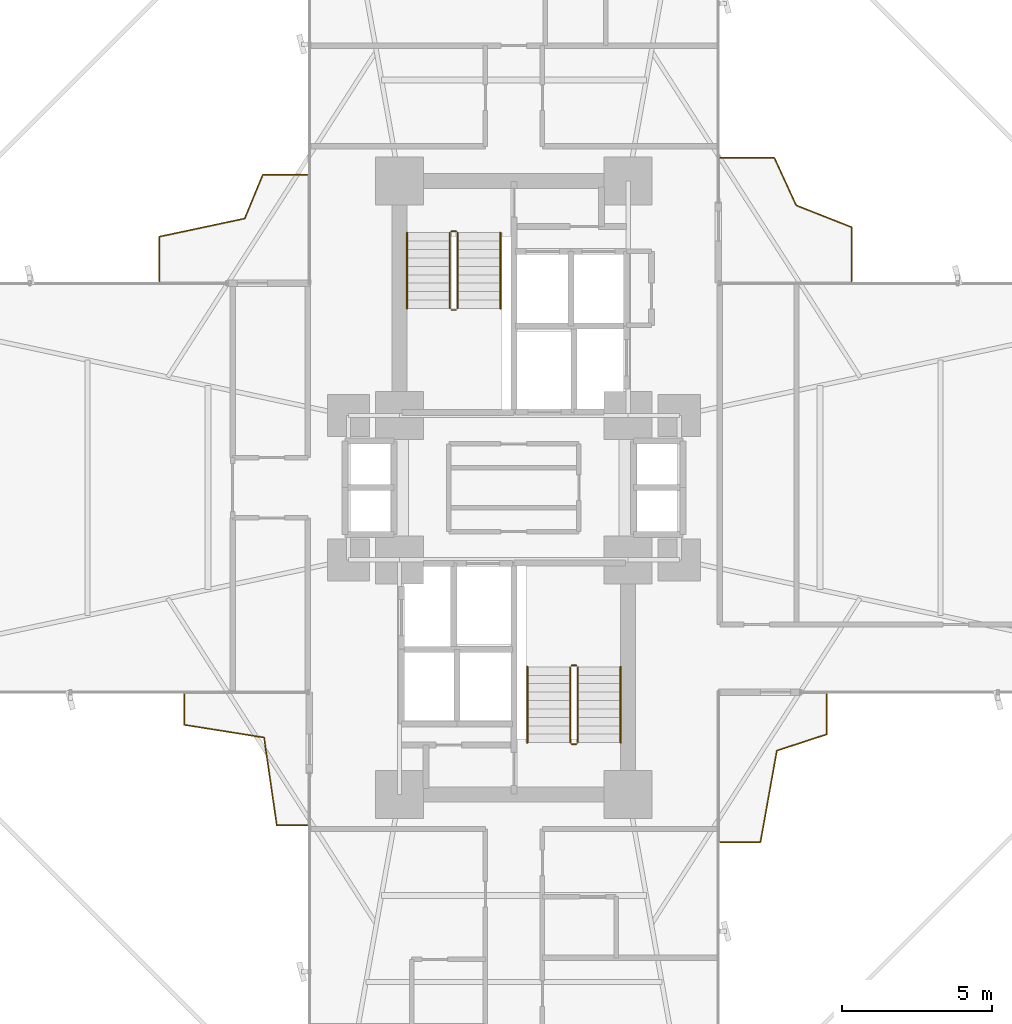
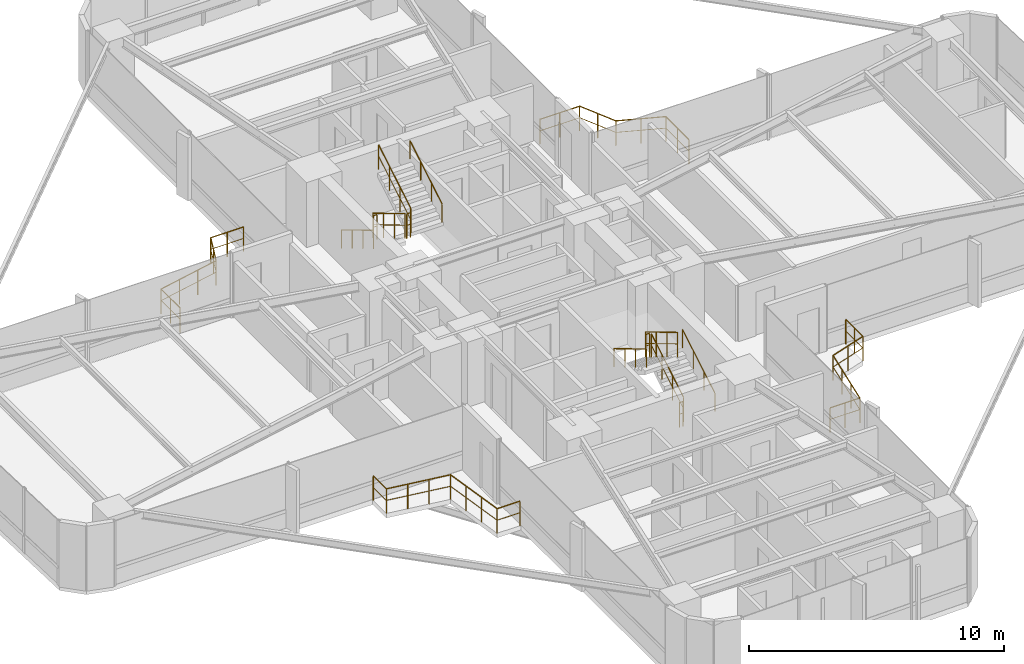
# One storey, part 25 of 25: 16 railings.
"""IFC4 building model written with IfcOpenShell, lengths in metres."""

from ifc_helpers import new_model, si_unit, direction, frame, origin, origin_2d, place, context, subcontext, project, spatial, circle, extrude, material, type_object, element, save


model = new_model("IFC4")

# Units and contexts
model_context = context("Model", 3, precision=1e-05, world=origin(), true_north=direction((0.0, 1.0)))
body_context = subcontext(model_context, "Body", "Model", "MODEL_VIEW")
ifc_project = project(units=[si_unit("LENGTHUNIT", "METRE"), si_unit("AREAUNIT", "SQUARE_METRE"), si_unit("VOLUMEUNIT", "CUBIC_METRE"), si_unit("PLANEANGLEUNIT", "RADIAN"), si_unit("MASSUNIT", "GRAM", prefix="KILO")], contexts=[model_context])

# Site, building, storey
site_placement = place(None, origin())
site = spatial("IfcSite", under=ifc_project, at=site_placement, CompositionType="ELEMENT")
building_placement = place(site_placement, origin())
building = spatial("IfcBuilding", under=site, at=building_placement, Name="Sahyath Konkavel Grand Hotel", CompositionType="ELEMENT")
storey_placement = place(building_placement, frame((0.0, 0.0, 64.449951171875)))
storey = spatial("IfcBuildingStorey", under=building, at=storey_placement, Name="L17", CompositionType="ELEMENT", Elevation=64.449951171875)

# Railings
ifc_material_1 = material(Name="Anodised Bronze Aluminium", Category="aluminium")
railing_type_1 = type_object("IfcRailingType", Name="RLG-BALC-1200", PredefinedType="GUARDRAIL", material=ifc_material_1)
railing_1_placement = place(storey_placement, frame((11.23095703125, 6.860107421875, 0.0)))
element("IfcRailing", 1, at=railing_1_placement, inside=storey, type_object=railing_type_1, Name="L17 Winter-Garden Guard NE", PredefinedType="GUARDRAIL", context=body_context, shape_type="SweptSolid", body=[
    extrude(circle(Radius=0.02392578125, at=origin_2d()), frame((0.0, 0.001953125, 1.17578125), z_axis=(0.0, 1.0, 0.0), x_axis=(-1.0, 0.0, 0.0)), (0.0, 0.0, 1.0), 1.80078125),
    extrude(circle(Radius=0.01416015625, at=origin_2d()), frame((0.0, 0.001953125, 0.6240234375), z_axis=(0.0, 1.0, 0.0), x_axis=(-1.0, 0.0, 0.0)), (0.0, 0.0, 1.0), 1.80078125),
    extrude(circle(Radius=0.02392578125, at=origin_2d()), frame((-0.001953125, 1.805419921875, 1.17578125), z_axis=(-0.930437715574, 0.366450074958, 0.0), x_axis=(-0.366450074958, -0.930437715574, 0.0)), (0.0, 0.0, 1.0), 1.974609375),
    extrude(circle(Radius=0.01416015625, at=origin_2d()), frame((-0.001953125, 1.805419921875, 0.6240234375), z_axis=(-0.930437715574, 0.366450074958, 0.0), x_axis=(-0.366450074958, -0.930437715574, 0.0)), (0.0, 0.0, 1.0), 1.974609375),
    extrude(circle(Radius=0.02392578125, at=origin_2d()), frame((-1.841796875, 2.531494140625, 1.17578125), z_axis=(-0.417293219977, 0.908771901283, 0.0), x_axis=(-0.908771901283, -0.417293219977, 0.0)), (0.0, 0.0, 1.0), 1.733642578125),
    extrude(circle(Radius=0.01416015625, at=origin_2d()), frame((-1.841796875, 2.531494140625, 0.6240234375), z_axis=(-0.417293219977, 0.908771901283, 0.0), x_axis=(-0.908771901283, -0.417293219977, 0.0)), (0.0, 0.0, 1.0), 1.733642578125),
    extrude(circle(Radius=0.02392578125, at=origin_2d()), frame((-2.568115234375, 4.10888671875, 1.17578125), z_axis=(-1.0, 0.0, 0.0), x_axis=(0.0, -1.0, 0.0)), (0.0, 0.0, 1.0), 1.80078125),
    extrude(circle(Radius=0.01416015625, at=origin_2d()), frame((-2.568115234375, 4.10888671875, 0.6240234375), z_axis=(-1.0, 0.0, 0.0), x_axis=(0.0, -1.0, 0.0)), (0.0, 0.0, 1.0), 1.80078125),
    extrude(circle(Radius=0.02099609375, at=origin_2d()), origin(), (0.0, 0.0, 1.0), 1.15185546875),
    extrude(circle(Radius=0.02099609375, at=origin_2d()), frame((0.0, 0.90234375, 0.0)), (0.0, 0.0, 1.0), 1.15185546875),
    extrude(circle(Radius=0.02099609375, at=origin_2d()), frame((0.0, 1.8046875, 0.0)), (0.0, 0.0, 1.0), 1.15185546875),
    extrude(circle(Radius=0.02099609375, at=origin_2d()), frame((-0.92041015625, 2.167236328125, 0.0)), (0.0, 0.0, 1.0), 1.15185546875),
    extrude(circle(Radius=0.02099609375, at=origin_2d()), frame((-1.841064453125, 2.52978515625, 0.0)), (0.0, 0.0, 1.0), 1.15185546875),
    extrude(circle(Radius=0.02099609375, at=origin_2d()), frame((-2.20361328125, 3.3193359375, 0.0)), (0.0, 0.0, 1.0), 1.15185546875),
    extrude(circle(Radius=0.02099609375, at=origin_2d()), frame((-2.566162109375, 4.10888671875, 0.0)), (0.0, 0.0, 1.0), 1.15185546875),
    extrude(circle(Radius=0.02099609375, at=origin_2d()), frame((-3.468505859375, 4.10888671875, 0.0)), (0.0, 0.0, 1.0), 1.15185546875),
    extrude(circle(Radius=0.02099609375, at=origin_2d()), frame((-4.370849609375, 4.10888671875, 0.0)), (0.0, 0.0, 1.0), 1.15185546875),
])
railing_2_placement = place(storey_placement, frame((-6.860107421875, 10.412109375, 0.0)))
element("IfcRailing", 2, at=railing_2_placement, inside=storey, type_object=railing_type_1, Name="L17 Winter-Garden Guard NW", PredefinedType="GUARDRAIL", context=body_context, shape_type="SweptSolid", body=[
    extrude(circle(Radius=0.02392578125, at=origin_2d()), frame((-0.001953125, 0.0, 1.17578125), z_axis=(-1.0, 0.0, 0.0), x_axis=(0.0, -1.0, 0.0)), (0.0, 0.0, 1.0), 1.486083984375),
    extrude(circle(Radius=0.01416015625, at=origin_2d()), frame((-0.001953125, 0.0, 0.6240234375), z_axis=(-1.0, 0.0, 0.0), x_axis=(0.0, -1.0, 0.0)), (0.0, 0.0, 1.0), 1.486083984375),
    extrude(circle(Radius=0.02392578125, at=origin_2d()), frame((-1.49072265625, -0.001953125, 1.17578125), z_axis=(-0.381791742766, -0.924248378498, 0.0), x_axis=(0.924248378498, -0.381791742766, 0.0)), (0.0, 0.0, 1.0), 1.57470703125),
    extrude(circle(Radius=0.01416015625, at=origin_2d()), frame((-1.49072265625, -0.001953125, 0.6240234375), z_axis=(-0.381791742766, -0.924248378498, 0.0), x_axis=(0.924248378498, -0.381791742766, 0.0)), (0.0, 0.0, 1.0), 1.57470703125),
    extrude(circle(Radius=0.02392578125, at=origin_2d()), frame((-2.0947265625, -1.459716796875, 1.17578125), z_axis=(-0.978137653515, -0.207958483297, 0.0), x_axis=(0.207958483297, -0.978137653515, 0.0)), (0.0, 0.0, 1.0), 2.89453125),
    extrude(circle(Radius=0.01416015625, at=origin_2d()), frame((-2.0947265625, -1.459716796875, 0.6240234375), z_axis=(-0.978137653515, -0.207958483297, 0.0), x_axis=(0.207958483297, -0.978137653515, 0.0)), (0.0, 0.0, 1.0), 2.89453125),
    extrude(circle(Radius=0.02392578125, at=origin_2d()), frame((-4.927978515625, -2.06396484375, 1.17578125), z_axis=(0.0, -1.0, 0.0), x_axis=(1.0, 0.0, 0.0)), (0.0, 0.0, 1.0), 1.486083984375),
    extrude(circle(Radius=0.01416015625, at=origin_2d()), frame((-4.927978515625, -2.06396484375, 0.6240234375), z_axis=(0.0, -1.0, 0.0), x_axis=(1.0, 0.0, 0.0)), (0.0, 0.0, 1.0), 1.486083984375),
    extrude(circle(Radius=0.02099609375, at=origin_2d()), origin(), (0.0, 0.0, 1.0), 1.15185546875),
    extrude(circle(Radius=0.02099609375, at=origin_2d()), frame((-0.7451171875, 0.0, 0.0)), (0.0, 0.0, 1.0), 1.15185546875),
    extrude(circle(Radius=0.02099609375, at=origin_2d()), frame((-1.489990234375, 0.0, 0.0)), (0.0, 0.0, 1.0), 1.15185546875),
    extrude(circle(Radius=0.02099609375, at=origin_2d()), frame((-1.79150390625, -0.7294921875, 0.0)), (0.0, 0.0, 1.0), 1.15185546875),
    extrude(circle(Radius=0.02099609375, at=origin_2d()), frame((-2.0927734375, -1.459228515625, 0.0)), (0.0, 0.0, 1.0), 1.15185546875),
    extrude(circle(Radius=0.02099609375, at=origin_2d()), frame((-3.037841796875, -1.66015625, 0.0)), (0.0, 0.0, 1.0), 1.15185546875),
    extrude(circle(Radius=0.02099609375, at=origin_2d()), frame((-3.98291015625, -1.861083984375, 0.0)), (0.0, 0.0, 1.0), 1.15185546875),
    extrude(circle(Radius=0.02099609375, at=origin_2d()), frame((-4.927978515625, -2.06201171875, 0.0)), (0.0, 0.0, 1.0), 1.15185546875),
    extrude(circle(Radius=0.02099609375, at=origin_2d()), frame((-4.927978515625, -2.80712890625, 0.0)), (0.0, 0.0, 1.0), 1.15185546875),
    extrude(circle(Radius=0.02099609375, at=origin_2d()), frame((-4.927978515625, -3.552001953125, 0.0)), (0.0, 0.0, 1.0), 1.15185546875),
])
railing_3_placement = place(storey_placement, frame((-10.968994140625, -6.860107421875, 0.0)))
element("IfcRailing", 3, at=railing_3_placement, inside=storey, type_object=railing_type_1, Name="L17 Winter-Garden Guard SW", PredefinedType="GUARDRAIL", context=body_context, shape_type="SweptSolid", body=[
    extrude(circle(Radius=0.02392578125, at=origin_2d()), frame((0.0, -0.001953125, 1.17578125), z_axis=(0.0, -1.0, 0.0), x_axis=(1.0, 0.0, 0.0)), (0.0, 0.0, 1.0), 1.023193359375),
    extrude(circle(Radius=0.01416015625, at=origin_2d()), frame((0.0, -0.001953125, 0.6240234375), z_axis=(0.0, -1.0, 0.0), x_axis=(1.0, 0.0, 0.0)), (0.0, 0.0, 1.0), 1.023193359375),
    extrude(circle(Radius=0.02392578125, at=origin_2d()), frame((0.001953125, -1.02734375, 1.17578125), z_axis=(0.987589578127, -0.157056757811, 0.0), x_axis=(0.157056757811, 0.987589578127, 0.0)), (0.0, 0.0, 1.0), 2.688232421875),
    extrude(circle(Radius=0.01416015625, at=origin_2d()), frame((0.001953125, -1.02734375, 0.6240234375), z_axis=(0.987589578127, -0.157056757811, 0.0), x_axis=(0.157056757811, 0.987589578127, 0.0)), (0.0, 0.0, 1.0), 2.688232421875),
    extrude(circle(Radius=0.02392578125, at=origin_2d()), frame((2.6591796875, -1.451904296875, 1.17578125), z_axis=(0.14327407576, -0.989683049878, 0.0), x_axis=(0.989683049878, 0.14327407576, 0.0)), (0.0, 0.0, 1.0), 2.947265625),
    extrude(circle(Radius=0.01416015625, at=origin_2d()), frame((2.6591796875, -1.451904296875, 0.6240234375), z_axis=(0.14327407576, -0.989683049878, 0.0), x_axis=(0.989683049878, 0.14327407576, 0.0)), (0.0, 0.0, 1.0), 2.947265625),
    extrude(circle(Radius=0.02392578125, at=origin_2d()), frame((3.083740234375, -4.370849609375, 1.17578125), z_axis=(1.0, 0.0, 0.0), x_axis=(0.0, 1.0, 0.0)), (0.0, 0.0, 1.0), 1.023193359375),
    extrude(circle(Radius=0.01416015625, at=origin_2d()), frame((3.083740234375, -4.370849609375, 0.6240234375), z_axis=(1.0, 0.0, 0.0), x_axis=(0.0, 1.0, 0.0)), (0.0, 0.0, 1.0), 1.023193359375),
    extrude(circle(Radius=0.02099609375, at=origin_2d()), origin(), (0.0, 0.0, 1.0), 1.15185546875),
    extrude(circle(Radius=0.02099609375, at=origin_2d()), frame((0.0, -1.027099609375, 0.0)), (0.0, 0.0, 1.0), 1.15185546875),
    extrude(circle(Radius=0.02099609375, at=origin_2d()), frame((0.88623046875, -1.16796875, 0.0)), (0.0, 0.0, 1.0), 1.15185546875),
    extrude(circle(Radius=0.02099609375, at=origin_2d()), frame((1.772705078125, -1.30908203125, 0.0)), (0.0, 0.0, 1.0), 1.15185546875),
    extrude(circle(Radius=0.02099609375, at=origin_2d()), frame((2.658935546875, -1.449951171875, 0.0)), (0.0, 0.0, 1.0), 1.15185546875),
    extrude(circle(Radius=0.02099609375, at=origin_2d()), frame((2.7998046875, -2.423583984375, 0.0)), (0.0, 0.0, 1.0), 1.15185546875),
    extrude(circle(Radius=0.02099609375, at=origin_2d()), frame((2.94091796875, -3.397216796875, 0.0)), (0.0, 0.0, 1.0), 1.15185546875),
    extrude(circle(Radius=0.02099609375, at=origin_2d()), frame((3.081787109375, -4.370849609375, 0.0)), (0.0, 0.0, 1.0), 1.15185546875),
    extrude(circle(Radius=0.02099609375, at=origin_2d()), frame((4.10888671875, -4.370849609375, 0.0)), (0.0, 0.0, 1.0), 1.15185546875),
])
railing_4_placement = place(storey_placement, frame((6.860107421875, -11.7880859375, 0.0)))
element("IfcRailing", 4, at=railing_4_placement, inside=storey, type_object=railing_type_1, Name="L17 Winter-Garden Guard SE", PredefinedType="GUARDRAIL", context=body_context, shape_type="SweptSolid", body=[
    extrude(circle(Radius=0.02392578125, at=origin_2d()), frame((0.001953125, 0.0, 1.17578125), z_axis=(1.0, 0.0, 0.0), x_axis=(0.0, 1.0, 0.0)), (0.0, 0.0, 1.0), 1.337890625),
    extrude(circle(Radius=0.01416015625, at=origin_2d()), frame((0.001953125, 0.0, 0.6240234375), z_axis=(1.0, 0.0, 0.0), x_axis=(0.0, 1.0, 0.0)), (0.0, 0.0, 1.0), 1.337890625),
    extrude(circle(Radius=0.02392578125, at=origin_2d()), frame((1.342041015625, 0.001953125, 1.17578125), z_axis=(0.176457945273, 0.98430818017, 0.0), x_axis=(-0.98430818017, 0.176457945273, 0.0)), (0.0, 0.0, 1.0), 3.08544921875),
    extrude(circle(Radius=0.01416015625, at=origin_2d()), frame((1.342041015625, 0.001953125, 0.6240234375), z_axis=(0.176457945273, 0.98430818017, 0.0), x_axis=(-0.98430818017, 0.176457945273, 0.0)), (0.0, 0.0, 1.0), 3.08544921875),
    extrude(circle(Radius=0.02392578125, at=origin_2d()), frame((1.888916015625, 3.041748046875, 1.17578125), z_axis=(0.950355927849, 0.311164924763, 0.0), x_axis=(-0.311164924763, 0.950355927849, 0.0)), (0.0, 0.0, 1.0), 1.748046875),
    extrude(circle(Radius=0.01416015625, at=origin_2d()), frame((1.888916015625, 3.041748046875, 0.6240234375), z_axis=(0.950355927849, 0.311164924763, 0.0), x_axis=(-0.311164924763, 0.950355927849, 0.0)), (0.0, 0.0, 1.0), 1.748046875),
    extrude(circle(Radius=0.02392578125, at=origin_2d()), frame((3.552001953125, 3.588134765625, 1.17578125), z_axis=(0.0, 1.0, 0.0), x_axis=(-1.0, 0.0, 0.0)), (0.0, 0.0, 1.0), 1.337890625),
    extrude(circle(Radius=0.01416015625, at=origin_2d()), frame((3.552001953125, 3.588134765625, 0.6240234375), z_axis=(0.0, 1.0, 0.0), x_axis=(-1.0, 0.0, 0.0)), (0.0, 0.0, 1.0), 1.337890625),
    extrude(circle(Radius=0.02099609375, at=origin_2d()), origin(), (0.0, 0.0, 1.0), 1.15185546875),
    extrude(circle(Radius=0.02099609375, at=origin_2d()), frame((0.6708984375, 0.0, 0.0)), (0.0, 0.0, 1.0), 1.15185546875),
    extrude(circle(Radius=0.02099609375, at=origin_2d()), frame((1.341796875, 0.0, 0.0)), (0.0, 0.0, 1.0), 1.15185546875),
    extrude(circle(Radius=0.02099609375, at=origin_2d()), frame((1.5234375, 1.013671875, 0.0)), (0.0, 0.0, 1.0), 1.15185546875),
    extrude(circle(Radius=0.02099609375, at=origin_2d()), frame((1.705322265625, 2.02734375, 0.0)), (0.0, 0.0, 1.0), 1.15185546875),
    extrude(circle(Radius=0.02099609375, at=origin_2d()), frame((1.886962890625, 3.041015625, 0.0)), (0.0, 0.0, 1.0), 1.15185546875),
    extrude(circle(Radius=0.02099609375, at=origin_2d()), frame((2.719482421875, 3.3134765625, 0.0)), (0.0, 0.0, 1.0), 1.15185546875),
    extrude(circle(Radius=0.02099609375, at=origin_2d()), frame((3.552001953125, 3.586181640625, 0.0)), (0.0, 0.0, 1.0), 1.15185546875),
    extrude(circle(Radius=0.02099609375, at=origin_2d()), frame((3.552001953125, 4.257080078125, 0.0)), (0.0, 0.0, 1.0), 1.15185546875),
    extrude(circle(Radius=0.02099609375, at=origin_2d()), frame((3.552001953125, 4.927978515625, 0.0)), (0.0, 0.0, 1.0), 1.15185546875),
])
ifc_material_2 = material(Name="Steel E350", Category="steel")
railing_type_2 = type_object("IfcRailingType", Name="RLG-STAIR-GRD", PredefinedType="GUARDRAIL", material=ifc_material_2)
railing_5_placement = place(storey_placement, frame((-2.1298828125, 8.47998046875, 0.16748046875)))
element("IfcRailing", 5, at=railing_5_placement, inside=storey, type_object=railing_type_2, Name="L17 ST-1 stair guard 1", PredefinedType="GUARDRAIL", context=body_context, shape_type="SweptSolid", body=[
    extrude(circle(Radius=0.02392578125, at=origin_2d()), frame((0.0, -0.001708984375, 1.177001953125), z_axis=(0.0, -0.858159760407, 0.513382728203), x_axis=(1.0, 0.0, 0.0)), (0.0, 0.0, 1.0), 2.9326171875),
    extrude(circle(Radius=0.01416015625, at=origin_2d()), frame((0.0, -0.001708984375, 0.625), z_axis=(0.0, -0.858159760407, 0.513382728203), x_axis=(1.0, 0.0, 0.0)), (0.0, 0.0, 1.0), 2.9326171875),
    extrude(circle(Radius=0.02099609375, at=origin_2d()), origin(), (0.0, 0.0, 1.0), 1.15185546875),
    extrude(circle(Radius=0.02099609375, at=origin_2d()), frame((0.0, -0.840087890625, 0.50244140625)), (0.0, 0.0, 1.0), 1.15185546875),
    extrude(circle(Radius=0.02099609375, at=origin_2d()), frame((0.0, -1.679931640625, 1.005126953125)), (0.0, 0.0, 1.0), 1.15185546875),
    extrude(circle(Radius=0.02099609375, at=origin_2d()), frame((0.0, -2.52001953125, 1.507568359375)), (0.0, 0.0, 1.0), 1.15185546875),
])
railing_6_placement = place(storey_placement, frame((-2.080078125, 5.909912109375, 1.675048828125)))
element("IfcRailing", 6, at=railing_6_placement, inside=storey, type_object=railing_type_2, Name="L17 ST-1 stair guard 2", PredefinedType="GUARDRAIL", context=body_context, shape_type="SweptSolid", body=[
    extrude(circle(Radius=0.02392578125, at=origin_2d()), frame((0.001953125, 0.0, 1.17578125), z_axis=(1.0, 0.0, 0.0), x_axis=(0.0, 1.0, 0.0)), (0.0, 0.0, 1.0), 0.15625),
    extrude(circle(Radius=0.01416015625, at=origin_2d()), frame((0.001953125, 0.0, 0.6240234375), z_axis=(1.0, 0.0, 0.0), x_axis=(0.0, 1.0, 0.0)), (0.0, 0.0, 1.0), 0.15625),
    extrude(circle(Radius=0.02099609375, at=origin_2d()), origin(), (0.0, 0.0, 1.0), 1.15185546875),
    extrude(circle(Radius=0.02099609375, at=origin_2d()), frame((0.16015625, 0.0, 0.0)), (0.0, 0.0, 1.0), 1.15185546875),
])
railing_7_placement = place(storey_placement, frame((-1.8701171875, 5.9599609375, 1.842529296875)))
element("IfcRailing", 7, at=railing_7_placement, inside=storey, type_object=railing_type_2, Name="L17 ST-1 stair guard 3", PredefinedType="GUARDRAIL", context=body_context, shape_type="SweptSolid", body=[
    extrude(circle(Radius=0.02392578125, at=origin_2d()), frame((0.0, 0.001708984375, 1.177001953125), z_axis=(0.0, 0.858159760407, 0.513382728203), x_axis=(-1.0, 0.0, 0.0)), (0.0, 0.0, 1.0), 2.9326171875),
    extrude(circle(Radius=0.01416015625, at=origin_2d()), frame((0.0, 0.001708984375, 0.625), z_axis=(0.0, 0.858159760407, 0.513382728203), x_axis=(-1.0, 0.0, 0.0)), (0.0, 0.0, 1.0), 2.9326171875),
    extrude(circle(Radius=0.02099609375, at=origin_2d()), origin(), (0.0, 0.0, 1.0), 1.15185546875),
    extrude(circle(Radius=0.02099609375, at=origin_2d()), frame((0.0, 0.840087890625, 0.50244140625)), (0.0, 0.0, 1.0), 1.15185546875),
    extrude(circle(Radius=0.02099609375, at=origin_2d()), frame((0.0, 1.679931640625, 1.005126953125)), (0.0, 0.0, 1.0), 1.15185546875),
    extrude(circle(Radius=0.02099609375, at=origin_2d()), frame((0.0, 2.52001953125, 1.507568359375)), (0.0, 0.0, 1.0), 1.15185546875),
])
railing_8_placement = place(storey_placement, frame((-2.080078125, 8.530029296875, 0.0)))
element("IfcRailing", 8, at=railing_8_placement, inside=storey, type_object=railing_type_2, Name="L17 ST-1 stair guard 4", PredefinedType="GUARDRAIL", context=body_context, shape_type="SweptSolid", body=[
    extrude(circle(Radius=0.02392578125, at=origin_2d()), frame((0.001953125, 0.0, 1.17578125), z_axis=(1.0, 0.0, 0.0), x_axis=(0.0, 1.0, 0.0)), (0.0, 0.0, 1.0), 0.15625),
    extrude(circle(Radius=0.01416015625, at=origin_2d()), frame((0.001953125, 0.0, 0.6240234375), z_axis=(1.0, 0.0, 0.0), x_axis=(0.0, 1.0, 0.0)), (0.0, 0.0, 1.0), 0.15625),
    extrude(circle(Radius=0.02099609375, at=origin_2d()), origin(), (0.0, 0.0, 1.0), 1.15185546875),
    extrude(circle(Radius=0.02099609375, at=origin_2d()), frame((0.16015625, 0.0, 0.0)), (0.0, 0.0, 1.0), 1.15185546875),
])
railing_9_placement = place(storey_placement, frame((2.1298828125, -8.47998046875, 0.16748046875)))
element("IfcRailing", 9, at=railing_9_placement, inside=storey, type_object=railing_type_2, Name="L17 ST-2 stair guard 1", PredefinedType="GUARDRAIL", context=body_context, shape_type="SweptSolid", body=[
    extrude(circle(Radius=0.02392578125, at=origin_2d()), frame((0.0, 0.001708984375, 1.177001953125), z_axis=(0.0, 0.858159760407, 0.513382728203), x_axis=(-1.0, 0.0, 0.0)), (0.0, 0.0, 1.0), 2.9326171875),
    extrude(circle(Radius=0.01416015625, at=origin_2d()), frame((0.0, 0.001708984375, 0.625), z_axis=(0.0, 0.858159760407, 0.513382728203), x_axis=(-1.0, 0.0, 0.0)), (0.0, 0.0, 1.0), 2.9326171875),
    extrude(circle(Radius=0.02099609375, at=origin_2d()), origin(), (0.0, 0.0, 1.0), 1.15185546875),
    extrude(circle(Radius=0.02099609375, at=origin_2d()), frame((0.0, 0.840087890625, 0.50244140625)), (0.0, 0.0, 1.0), 1.15185546875),
    extrude(circle(Radius=0.02099609375, at=origin_2d()), frame((0.0, 1.679931640625, 1.005126953125)), (0.0, 0.0, 1.0), 1.15185546875),
    extrude(circle(Radius=0.02099609375, at=origin_2d()), frame((0.0, 2.52001953125, 1.507568359375)), (0.0, 0.0, 1.0), 1.15185546875),
])
railing_10_placement = place(storey_placement, frame((2.080078125, -5.909912109375, 1.675048828125)))
element("IfcRailing", 10, at=railing_10_placement, inside=storey, type_object=railing_type_2, Name="L17 ST-2 stair guard 2", PredefinedType="GUARDRAIL", context=body_context, shape_type="SweptSolid", body=[
    extrude(circle(Radius=0.02392578125, at=origin_2d()), frame((-0.001953125, 0.0, 1.17578125), z_axis=(-1.0, 0.0, 0.0), x_axis=(0.0, -1.0, 0.0)), (0.0, 0.0, 1.0), 0.15625),
    extrude(circle(Radius=0.01416015625, at=origin_2d()), frame((-0.001953125, 0.0, 0.6240234375), z_axis=(-1.0, 0.0, 0.0), x_axis=(0.0, -1.0, 0.0)), (0.0, 0.0, 1.0), 0.15625),
    extrude(circle(Radius=0.02099609375, at=origin_2d()), origin(), (0.0, 0.0, 1.0), 1.15185546875),
    extrude(circle(Radius=0.02099609375, at=origin_2d()), frame((-0.16015625, 0.0, 0.0)), (0.0, 0.0, 1.0), 1.15185546875),
])
railing_11_placement = place(storey_placement, frame((1.8701171875, -5.9599609375, 1.842529296875)))
element("IfcRailing", 11, at=railing_11_placement, inside=storey, type_object=railing_type_2, Name="L17 ST-2 stair guard 3", PredefinedType="GUARDRAIL", context=body_context, shape_type="SweptSolid", body=[
    extrude(circle(Radius=0.02392578125, at=origin_2d()), frame((0.0, -0.001708984375, 1.177001953125), z_axis=(0.0, -0.858159760407, 0.513382728203), x_axis=(1.0, 0.0, 0.0)), (0.0, 0.0, 1.0), 2.9326171875),
    extrude(circle(Radius=0.01416015625, at=origin_2d()), frame((0.0, -0.001708984375, 0.625), z_axis=(0.0, -0.858159760407, 0.513382728203), x_axis=(1.0, 0.0, 0.0)), (0.0, 0.0, 1.0), 2.9326171875),
    extrude(circle(Radius=0.02099609375, at=origin_2d()), origin(), (0.0, 0.0, 1.0), 1.15185546875),
    extrude(circle(Radius=0.02099609375, at=origin_2d()), frame((0.0, -0.840087890625, 0.50244140625)), (0.0, 0.0, 1.0), 1.15185546875),
    extrude(circle(Radius=0.02099609375, at=origin_2d()), frame((0.0, -1.679931640625, 1.005126953125)), (0.0, 0.0, 1.0), 1.15185546875),
    extrude(circle(Radius=0.02099609375, at=origin_2d()), frame((0.0, -2.52001953125, 1.507568359375)), (0.0, 0.0, 1.0), 1.15185546875),
])
railing_12_placement = place(storey_placement, frame((2.080078125, -8.530029296875, 0.0)))
element("IfcRailing", 12, at=railing_12_placement, inside=storey, type_object=railing_type_2, Name="L17 ST-2 stair guard 4", PredefinedType="GUARDRAIL", context=body_context, shape_type="SweptSolid", body=[
    extrude(circle(Radius=0.02392578125, at=origin_2d()), frame((-0.001953125, 0.0, 1.17578125), z_axis=(-1.0, 0.0, 0.0), x_axis=(0.0, -1.0, 0.0)), (0.0, 0.0, 1.0), 0.15625),
    extrude(circle(Radius=0.01416015625, at=origin_2d()), frame((-0.001953125, 0.0, 0.6240234375), z_axis=(-1.0, 0.0, 0.0), x_axis=(0.0, -1.0, 0.0)), (0.0, 0.0, 1.0), 0.15625),
    extrude(circle(Radius=0.02099609375, at=origin_2d()), origin(), (0.0, 0.0, 1.0), 1.15185546875),
    extrude(circle(Radius=0.02099609375, at=origin_2d()), frame((-0.16015625, 0.0, 0.0)), (0.0, 0.0, 1.0), 1.15185546875),
])
railing_type_3 = type_object("IfcRailingType", Name="RLG-STAIR-HND", PredefinedType="HANDRAIL", material=ifc_material_1)
railing_13_placement = place(storey_placement, frame((-3.550048828125, 8.47998046875, 0.16748046875)))
element("IfcRailing", 13, at=railing_13_placement, inside=storey, type_object=railing_type_3, Name="L17 ST-1 stair handrail 1", PredefinedType="HANDRAIL", context=body_context, shape_type="SweptSolid", body=[
    extrude(circle(Radius=0.02392578125, at=origin_2d()), frame((0.0, -0.001708984375, 0.876953125), z_axis=(0.0, -0.858159760407, 0.513382728203), x_axis=(1.0, 0.0, 0.0)), (0.0, 0.0, 1.0), 2.9326171875),
    extrude(circle(Radius=0.02099609375, at=origin_2d()), origin(), (0.0, 0.0, 1.0), 0.851806640625),
    extrude(circle(Radius=0.02099609375, at=origin_2d()), frame((0.0, -0.840087890625, 0.50244140625)), (0.0, 0.0, 1.0), 0.851806640625),
    extrude(circle(Radius=0.02099609375, at=origin_2d()), frame((0.0, -1.679931640625, 1.005126953125)), (0.0, 0.0, 1.0), 0.851806640625),
    extrude(circle(Radius=0.02099609375, at=origin_2d()), frame((0.0, -2.52001953125, 1.507568359375)), (0.0, 0.0, 1.0), 0.851806640625),
])
for number, where, name in (
    (14, (-0.449951171875, 5.9599609375, 1.842529296875), "L17 ST-1 stair handrail 2"),
    (15, (3.550048828125, -8.47998046875, 0.16748046875), "L17 ST-2 stair handrail 1"),
):
    element("IfcRailing", number, at=place(storey_placement, frame(where)), inside=storey, type_object=railing_type_3, Name=name, PredefinedType="HANDRAIL", context=body_context, shape_type="SweptSolid", body=[
        extrude(circle(Radius=0.02392578125, at=origin_2d()), frame((0.0, 0.001708984375, 0.876953125), z_axis=(0.0, 0.858159760407, 0.513382728203), x_axis=(-1.0, 0.0, 0.0)), (0.0, 0.0, 1.0), 2.9326171875),
        extrude(circle(Radius=0.02099609375, at=origin_2d()), origin(), (0.0, 0.0, 1.0), 0.851806640625),
        extrude(circle(Radius=0.02099609375, at=origin_2d()), frame((0.0, 0.840087890625, 0.50244140625)), (0.0, 0.0, 1.0), 0.851806640625),
        extrude(circle(Radius=0.02099609375, at=origin_2d()), frame((0.0, 1.679931640625, 1.005126953125)), (0.0, 0.0, 1.0), 0.851806640625),
        extrude(circle(Radius=0.02099609375, at=origin_2d()), frame((0.0, 2.52001953125, 1.507568359375)), (0.0, 0.0, 1.0), 0.851806640625),
    ])
railing_14_placement = place(storey_placement, frame((0.449951171875, -5.9599609375, 1.842529296875)))
element("IfcRailing", 16, at=railing_14_placement, inside=storey, type_object=railing_type_3, Name="L17 ST-2 stair handrail 2", PredefinedType="HANDRAIL", context=body_context, shape_type="SweptSolid", body=[
    extrude(circle(Radius=0.02392578125, at=origin_2d()), frame((0.0, -0.001708984375, 0.876953125), z_axis=(0.0, -0.858159760407, 0.513382728203), x_axis=(1.0, 0.0, 0.0)), (0.0, 0.0, 1.0), 2.9326171875),
    extrude(circle(Radius=0.02099609375, at=origin_2d()), origin(), (0.0, 0.0, 1.0), 0.851806640625),
    extrude(circle(Radius=0.02099609375, at=origin_2d()), frame((0.0, -0.840087890625, 0.50244140625)), (0.0, 0.0, 1.0), 0.851806640625),
    extrude(circle(Radius=0.02099609375, at=origin_2d()), frame((0.0, -1.679931640625, 1.005126953125)), (0.0, 0.0, 1.0), 0.851806640625),
    extrude(circle(Radius=0.02099609375, at=origin_2d()), frame((0.0, -2.52001953125, 1.507568359375)), (0.0, 0.0, 1.0), 0.851806640625),
])

save(model, "model.ifc")
